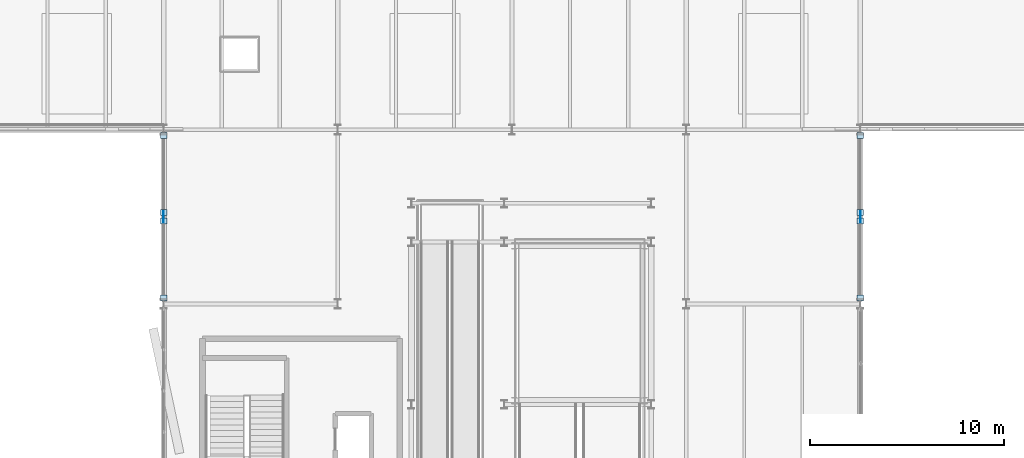
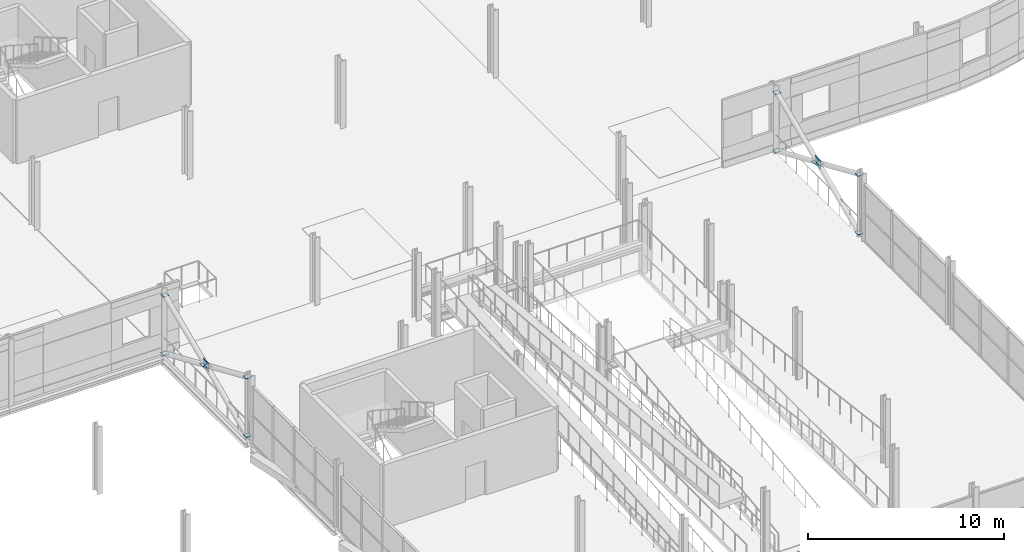
# One storey, part 114 of 140: 14 plates.
"""IFC4 building model written with IfcOpenShell, lengths in metres."""

import ifcopenshell
import ifcopenshell.guid

model = None  # the IFC model being written
_history = None  # IfcOwnerHistory: only IFC2X3 demands one
_inside = {}  # id of a spatial element -> (the spatial element, [elements in it])
_under = {}  # id of a project, library or spatial element -> (it, [spatial elements below it])
_declared = {}  # id of a project -> (the project, [libraries it declares])
_typed = {}  # id of a type object -> (the type object, [elements of that type])
_made_of = {}  # id of a material, layer set ... -> (it, [elements and type objects made of it])


def new_model(schema):
    """Start an empty IFC model of exactly this schema.

    Asked for "IFC4X3", IfcOpenShell would pick the latest addendum, in which some entities
    have other attributes; the version numbers below select the first issue.
    IFC2X3 requires an IfcOwnerHistory on every rooted entity: one is made here for all.
    """
    global model, _history
    if schema == "IFC4X3":
        model = ifcopenshell.file(schema_version=(4, 3, 0, 0))
    else:
        model = ifcopenshell.file(schema=schema)
    _inside.clear()
    _under.clear()
    _declared.clear()
    _typed.clear()
    _made_of.clear()
    _history = None
    if model.schema == "IFC2X3":
        org = make("IfcOrganization", Name="unknown")
        user = make(
            "IfcPersonAndOrganization",
            ThePerson=make("IfcPerson", FamilyName="unknown"),
            TheOrganization=org,
        )
        app = make(
            "IfcApplication",
            ApplicationDeveloper=org,
            Version="unknown",
            ApplicationFullName="unknown",
            ApplicationIdentifier="unknown",
        )
        _history = make(
            "IfcOwnerHistory",
            OwningUser=user,
            OwningApplication=app,
            ChangeAction="ADDED",
            CreationDate=0,
        )
    return model


def make(cls, **values):
    """One entity of the class cls with the attributes given. An attribute that is None is left unset."""
    return model.create_entity(
        cls, **{name: value for name, value in values.items() if value is not None}
    )


def rooted(cls, **values):
    """An entity with a GlobalId (a new one), such as an element, a storey or a relation."""
    return make(cls, GlobalId=ifcopenshell.guid.new(), OwnerHistory=_history, **values)


def si_unit(unit_type, name, prefix=None):
    """IfcSIUnit, for example si_unit("LENGTHUNIT", "METRE", prefix="MILLI")."""
    return make("IfcSIUnit", UnitType=unit_type, Prefix=prefix, Name=name)


def assignment(units):
    """IfcUnitAssignment: the units of a project."""
    return None if units is None else make("IfcUnitAssignment", Units=units)


def point(xyz):
    """IfcCartesianPoint."""
    return None if xyz is None else make("IfcCartesianPoint", Coordinates=xyz)


def direction(xyz):
    """IfcDirection."""
    return None if xyz is None else make("IfcDirection", DirectionRatios=xyz)


def frame(location, z_axis=None, x_axis=None):
    """IfcAxis2Placement3D, a coordinate frame: its origin and axes. An axis left out is left unset."""
    return make(
        "IfcAxis2Placement3D",
        Location=point(location),
        Axis=direction(z_axis),
        RefDirection=direction(x_axis),
    )


def frame_2d(location, x_axis=None):
    """IfcAxis2Placement2D, a coordinate frame in the plane: its origin and x axis."""
    return make(
        "IfcAxis2Placement2D", Location=point(location), RefDirection=direction(x_axis)
    )


def origin():
    """The frame at (0, 0, 0) with its axes left unset."""
    return frame((0.0, 0.0, 0.0))


def origin_2d():
    """The frame at (0, 0) in the plane with its x axis left unset."""
    return frame_2d((0.0, 0.0))


def place(relative_to, where):
    """IfcLocalPlacement: puts the frame where relative to a parent placement (None: the world)."""
    return make(
        "IfcLocalPlacement", PlacementRelTo=relative_to, RelativePlacement=where
    )


def context(
    kind, dimensions, precision=None, world=None, true_north=None, identifier=None
):
    """IfcGeometricRepresentationContext, for example the 3D "Model" context."""
    return make(
        "IfcGeometricRepresentationContext",
        ContextIdentifier=identifier,
        ContextType=kind,
        CoordinateSpaceDimension=dimensions,
        Precision=precision,
        WorldCoordinateSystem=world,
        TrueNorth=true_north,
    )


def subcontext(parent, identifier, kind, view, scale=None):
    """IfcGeometricRepresentationSubContext, for example "Body" below "Model"."""
    return make(
        "IfcGeometricRepresentationSubContext",
        ContextIdentifier=identifier,
        ContextType=kind,
        ParentContext=parent,
        TargetScale=scale,
        TargetView=view,
    )


def project(units=None, contexts=None):
    """IfcProject with its units and contexts."""
    return rooted(
        "IfcProject",
        Name="project",
        RepresentationContexts=contexts,
        UnitsInContext=assignment(units),
    )


def spatial(cls, under=None, at=None, **own):
    """A site, building, storey or space (cls), placed at a placement, below another one or the project."""
    s = rooted(cls, ObjectPlacement=at, **own)
    if under is not None:
        _under.setdefault(under.id(), (under, []))[1].append(s)
    return s


def profile(cls, at=None, kind="AREA", **sizes):
    """A parametric profile (cls). Its sizes go by their IFC names, for example OverallWidth=200.0."""
    return make(cls, ProfileType=kind, Position=at, **sizes)


def rectangle(**sizes):
    """IfcRectangleProfileDef."""
    return profile("IfcRectangleProfileDef", **sizes)


def extrude(swept, where, along, depth):
    """IfcExtrudedAreaSolid: the profile swept, set in the frame where, extruded along a direction by depth."""
    return make(
        "IfcExtrudedAreaSolid",
        SweptArea=swept,
        Position=where,
        ExtrudedDirection=direction(along),
        Depth=depth,
    )


def shape(context_of_items, identifier, shape_type, items):
    """IfcShapeRepresentation: the items that make up one representation, for example the "Body"."""
    return make(
        "IfcShapeRepresentation",
        ContextOfItems=context_of_items,
        RepresentationIdentifier=identifier,
        RepresentationType=shape_type,
        Items=items,
    )


def material(Name=None, Category=None):
    """IfcMaterial."""
    return make("IfcMaterial", Name=Name, Category=Category)


def layer(
    of_material, thickness, ventilated=None, Name=None, Category=None, Priority=None
):
    """IfcMaterialLayer: one layer of a wall or slab, of a material (None: an air gap)."""
    return make(
        "IfcMaterialLayer",
        Material=of_material,
        LayerThickness=thickness,
        IsVentilated=ventilated,
        Name=Name,
        Category=Category,
        Priority=Priority,
    )


def layer_set(layers, Name=None):
    """IfcMaterialLayerSet."""
    return make("IfcMaterialLayerSet", MaterialLayers=layers, LayerSetName=Name)


def made_of(thing, what):
    """Note that an element or type object is made of a material, layer set ...; save() writes the relation."""
    if what is not None:
        _made_of.setdefault(what.id(), (what, []))[1].append(thing)
    return thing


def type_object(cls, material=None, **own):
    """A type object (cls), such as IfcWallType, which elements share."""
    return made_of(rooted(cls, **own), material)


def element(
    cls,
    number,
    at=None,
    inside=None,
    cuts=None,
    type_object=None,
    material=None,
    context=None,
    identifier="Body",
    shape_type=None,
    held_by="IfcProductDefinitionShape",
    body=None,
    shapes=None,
    **own,
):
    """One element of the class cls, such as IfcWall. Its Tag is "e" and its number.

    at: its placement. inside: the storey or other place that contains it. cuts: it is an
    opening in that element (IfcRelVoidsElement). A single representation is given by context,
    identifier, shape_type and body (its items); several are given by shapes. held_by: the class
    of the entity that holds the representations. save() writes the other relations.
    """
    e = rooted(cls, Tag="e%d" % number, ObjectPlacement=at, **own)
    if body is not None:
        shapes = [shape(context, identifier, shape_type, body)]
    if shapes is not None:
        e.Representation = make(held_by, Representations=shapes)
    if inside is not None:
        _inside.setdefault(inside.id(), (inside, []))[1].append(e)
    if cuts is not None:
        rooted(
            "IfcRelVoidsElement", RelatingBuildingElement=cuts, RelatedOpeningElement=e
        )
    if type_object is not None:
        _typed.setdefault(type_object.id(), (type_object, []))[1].append(e)
    return made_of(e, material)


def aggregate(whole, parts):
    """IfcRelAggregates: a whole, such as a stair, and the parts it consists of."""
    return rooted("IfcRelAggregates", RelatingObject=whole, RelatedObjects=parts)


def save(model, path):
    """Write the relations noted so far, then the file.

    IfcRelAggregates (storeys below a building ...), IfcRelContainedInSpatialStructure (elements
    in a storey), IfcRelDefinesByType, IfcRelAssociatesMaterial and IfcRelDeclares: one each for
    every whole, place, type object, material and project.
    """
    for whole, parts in _under.values():
        aggregate(whole, parts)
    for where, things in _inside.values():
        rooted(
            "IfcRelContainedInSpatialStructure",
            RelatedElements=things,
            RelatingStructure=where,
        )
    for kind, things in _typed.values():
        rooted("IfcRelDefinesByType", RelatedObjects=things, RelatingType=kind)
    for what, things in _made_of.values():
        rooted("IfcRelAssociatesMaterial", RelatedObjects=things, RelatingMaterial=what)
    for by, libraries in _declared.values():
        rooted("IfcRelDeclares", RelatingContext=by, RelatedDefinitions=libraries)
    model.write(path)


model = new_model("IFC4")

# Units and contexts
model_context = context("Model", 3, precision=1e-05, world=origin(), true_north=direction((0.0, 1.0)))
body_context = subcontext(model_context, "Body", "Model", "MODEL_VIEW")
ifc_project = project(units=[si_unit("LENGTHUNIT", "METRE"), si_unit("AREAUNIT", "SQUARE_METRE"), si_unit("VOLUMEUNIT", "CUBIC_METRE"), si_unit("PLANEANGLEUNIT", "RADIAN"), si_unit("MASSUNIT", "GRAM", prefix="KILO")], contexts=[model_context])

# Site, building, storey
site_placement = place(None, origin())
site = spatial("IfcSite", under=ifc_project, at=site_placement, CompositionType="ELEMENT")
building_placement = place(site_placement, origin())
building = spatial("IfcBuilding", under=site, at=building_placement, Name="Deido Ridge Mobility Hub", CompositionType="ELEMENT")
storey_placement = place(building_placement, origin())
storey = spatial("IfcBuildingStorey", under=building, at=storey_placement, Name="L00", CompositionType="ELEMENT", Elevation=0.0)

# Plates
ifc_material = material(Name="Steel S355J2 EN 10025-2", Category="steel")
ifc_layer_1 = layer(ifc_material, 0.02197265625, Name="Steel S355J2 EN 10025-2")
ifc_layer_set_1 = layer_set([ifc_layer_1], Name="Steel S355J2 EN 10025-2")
plate_type_1 = type_object("IfcPlateType", Name="PLT-CAP-22", PredefinedType="USERDEFINED", material=ifc_layer_set_1)
for number, where, z_axis, x_axis, name in (
    (1, (72.0, 72.300048828125, 0.1689453125), (0.0, 0.0, 1.0), (1.0, 0.0, 0.0), "Brace sealed end-cap plate EC2 36"),
    (2, (72.0, 80.699951171875, 3.80908203125), (0.0, 0.0, 1.0), (1.0, 0.0, 0.0), "Brace sealed end-cap plate EC2 37"),
    (3, (72.0, 80.699951171875, 0.1689453125), (0.0, 0.0, 1.0), (1.0, 0.0, 0.0), "Brace sealed end-cap plate EC2 38"),
    (4, (72.0, 72.300048828125, 3.80908203125), (0.0, 0.0, 1.0), (1.0, 0.0, 0.0), "Brace sealed end-cap plate EC2 39"),
    (5, (72.0, 76.72021484375, 1.8935546875), (0.0, 0.0, 1.0), (1.0, 0.0, 0.0), "Brace sealed end-cap plate EC2 40"),
    (6, (72.0, 76.27978515625, 2.08447265625), (0.0, 0.0, 1.0), (1.0, 0.0, 0.0), "Brace sealed end-cap plate EC2 41"),
    (7, (108.0, 72.300048828125, 0.1689453125), (0.0, 0.0, 1.0), (1.0, 0.0, 0.0), "Brace sealed end-cap plate EC2 64"),
    (8, (108.0, 80.699951171875, 3.80908203125), (0.0, 0.0, 1.0), (1.0, 0.0, 0.0), "Brace sealed end-cap plate EC2 65"),
    (9, (108.0, 80.699951171875, 0.1689453125), (0.0, 0.0, 1.0), (1.0, 0.0, 0.0), "Brace sealed end-cap plate EC2 66"),
    (10, (108.0, 72.300048828125, 3.80908203125), (0.0, 0.0, 1.0), (1.0, 0.0, 0.0), "Brace sealed end-cap plate EC2 67"),
    (11, (108.0, 76.72021484375, 1.8935546875), (0.0, 0.0, 1.0), (1.0, 0.0, 0.0), "Brace sealed end-cap plate EC2 68"),
    (12, (108.0, 76.27978515625, 2.08447265625), (0.0, 0.0, 1.0), (1.0, 0.0, 0.0), "Brace sealed end-cap plate EC2 69"),
):
    element("IfcPlate", number, at=place(storey_placement, frame(where, z_axis=z_axis, x_axis=x_axis)), inside=storey, type_object=plate_type_1, Name=name, ObjectType="END CAP PLATE", PredefinedType="USERDEFINED", context=body_context, shape_type="SweptSolid", body=[
        extrude(rectangle(XDim=0.320068359375, YDim=0.320068359375, at=origin_2d()), origin(), (0.0, 0.0, 1.0), 0.02197265625),
    ])
ifc_layer_2 = layer(ifc_material, 0.028076171875, Name="Steel S355J2 EN 10025-2")
ifc_layer_set_2 = layer_set([ifc_layer_2], Name="Steel S355J2 EN 10025-2")
plate_type_2 = type_object("IfcPlateType", Name="PLT-GUS-28", PredefinedType="USERDEFINED", material=ifc_layer_set_2)
for number, where, z_axis, x_axis, name in (
    (13, (72.0, 76.5, 1.719970703125), (0.0, 0.0, 1.0), (0.0, 1.0, 0.0), "X-brace central crossing gusset plate GP3 42"),
    (14, (108.0, 76.5, 1.719970703125), (0.0, 0.0, 1.0), (0.0, 1.0, 0.0), "X-brace central crossing gusset plate GP3 70"),
):
    element("IfcPlate", number, at=place(storey_placement, frame(where, z_axis=z_axis, x_axis=x_axis)), inside=storey, type_object=plate_type_2, Name=name, ObjectType="GUSSET PLATE", PredefinedType="USERDEFINED", context=body_context, shape_type="SweptSolid", body=[
        extrude(rectangle(XDim=0.56005859375, YDim=0.028076171875, at=origin_2d()), origin(), (0.0, 0.0, 1.0), 0.56005859375),
    ])

save(model, "model.ifc")
